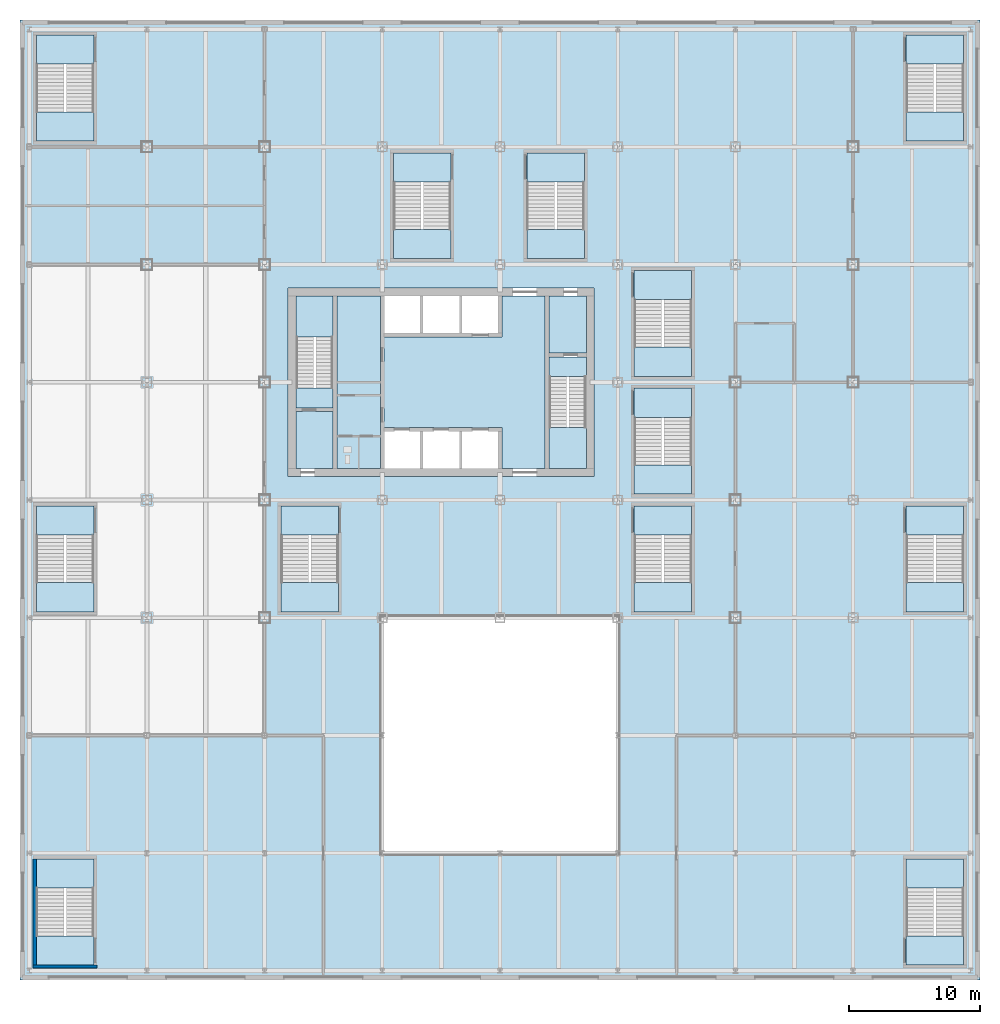
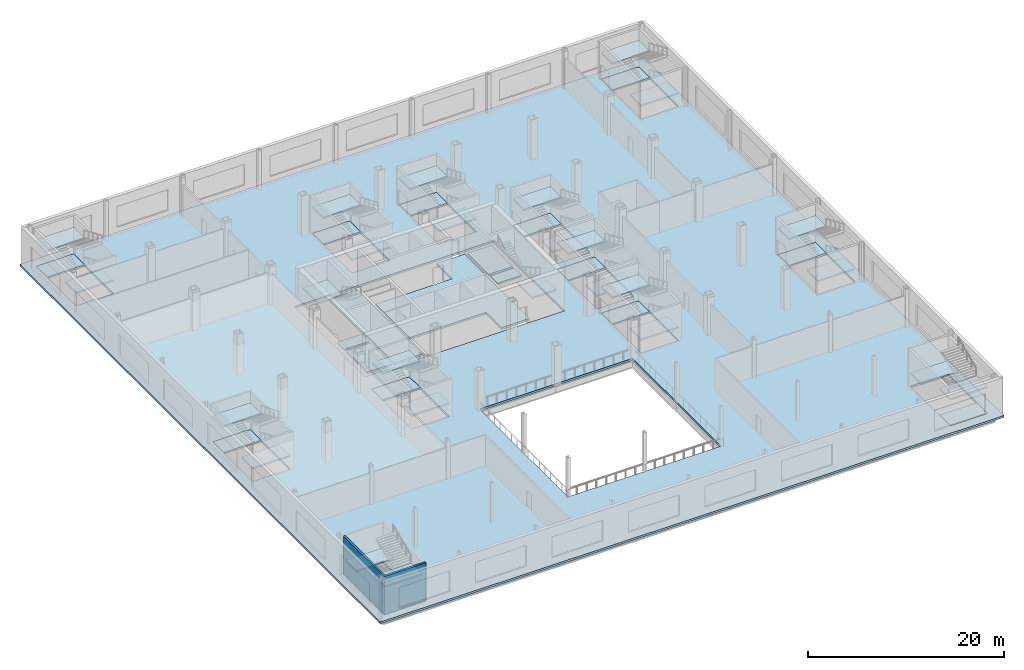
# One storey, part 10 of 28: 44 slabs, 2 walls, 14 elements without a shape of their own.
"""IFC4 building model written with IfcOpenShell, lengths in metres."""

from ifc_helpers import new_model, si_unit, direction, frame, frame_2d, origin, place, context, subcontext, project, spatial, polyline, rectangle, outline, extrude, material, layer, layer_set, type_object, element, aggregate, save


model = new_model("IFC4")

# Units and contexts
model_context = context("Model", 3, precision=1e-05, world=origin(), true_north=direction((0.0, 1.0)))
body_context = subcontext(model_context, "Body", "Model", "MODEL_VIEW")
ifc_project = project(units=[si_unit("LENGTHUNIT", "METRE"), si_unit("AREAUNIT", "SQUARE_METRE"), si_unit("VOLUMEUNIT", "CUBIC_METRE"), si_unit("PLANEANGLEUNIT", "RADIAN"), si_unit("MASSUNIT", "GRAM", prefix="KILO")], contexts=[model_context])

# Site, building, storey
site_placement = place(None, origin())
site = spatial("IfcSite", under=ifc_project, at=site_placement, CompositionType="ELEMENT")
building_placement = place(site_placement, origin())
building = spatial("IfcBuilding", under=site, at=building_placement, Name="Loomwork Tower", CompositionType="ELEMENT")
storey_placement = place(building_placement, frame((0.0, 0.0, 6.0)))
storey = spatial("IfcBuildingStorey", under=building, at=storey_placement, Name="L01", CompositionType="ELEMENT", Elevation=6.0)

# Slabs
ifc_material_1 = material(Name="Concrete 5000 psi (34 MPa) on composite metal deck", Category="concrete")
ifc_layer_1 = layer(ifc_material_1, 0.25)
ifc_layer_set_1 = layer_set([ifc_layer_1], Name="Floor slab 250")
slab_type_1 = type_object("IfcSlabType", Name="Floor slab 250", PredefinedType="FLOOR", material=ifc_layer_set_1)
slab_1_placement = place(storey_placement, frame((0.0, 0.0, -0.25)))
element("IfcSlab", 1, at=slab_1_placement, inside=storey, type_object=slab_type_1, Name="Floor slab L01", PredefinedType="FLOOR", context=body_context, shape_type="SweptSolid", body=[
    extrude(outline(polyline([(-9.699951171875, -27.699951171875), (-9.699951171875, 45.699951171875), (63.699951171875, 45.699951171875), (63.699951171875, -27.699951171875), (-9.699951171875, -27.699951171875)]), holes=[polyline([(58.050048828125, 36.449951171875), (62.449951171875, 36.449951171875), (62.449951171875, 44.550048828125), (58.050048828125, 44.550048828125), (58.050048828125, 36.449951171875)]), polyline([(58.050048828125, 0.449951171875), (62.449951171875, 0.449951171875), (62.449951171875, 8.550048828125), (58.050048828125, 8.550048828125), (58.050048828125, 0.449951171875)]), polyline([(58.050048828125, -26.550048828125), (62.449951171875, -26.550048828125), (62.449951171875, -18.449951171875), (58.050048828125, -18.449951171875), (58.050048828125, -26.550048828125)]), polyline([(41.64990234375, 9.449951171875), (41.64990234375, 17.550048828125), (37.25, 17.550048828125), (37.25, 9.449951171875), (41.64990234375, 9.449951171875)]), polyline([(37.25, 18.449951171875), (41.64990234375, 18.449951171875), (41.64990234375, 26.550048828125), (37.25, 26.550048828125), (37.25, 18.449951171875)]), polyline([(37.25, 0.449951171875), (41.64990234375, 0.449951171875), (41.64990234375, 8.550048828125), (37.25, 8.550048828125), (37.25, 0.449951171875)]), polyline([(18.0, -18.0), (36.0, -18.0), (36.0, 0.0), (18.0, 0.0), (18.0, -18.0)]), polyline([(34.199951171875, 11.39990234375), (34.199951171875, 24.60009765625), (34.199951171875, 25.199951171875), (10.800048828125, 25.199951171875), (10.800048828125, 24.60009765625), (10.800048828125, 11.39990234375), (10.800048828125, 11.39990234375), (10.800048828125, 10.800048828125), (34.199951171875, 10.800048828125), (34.199951171875, 11.39990234375), (34.199951171875, 11.39990234375)]), polyline([(29.050048828125, 27.449951171875), (33.449951171875, 27.449951171875), (33.449951171875, 35.550048828125), (29.050048828125, 35.550048828125), (29.050048828125, 27.449951171875)]), polyline([(18.85009765625, 27.449951171875), (23.25, 27.449951171875), (23.25, 35.550048828125), (18.85009765625, 35.550048828125), (18.85009765625, 27.449951171875)]), polyline([(10.25, 0.449951171875), (14.64990234375, 0.449951171875), (14.64990234375, 8.550048828125), (10.25, 8.550048828125), (10.25, 0.449951171875)]), polyline([(-4.050048828125, -26.550048828125), (-4.050048828125, -18.449951171875), (-8.449951171875, -18.449951171875), (-8.449951171875, -26.550048828125), (-4.050048828125, -26.550048828125)]), polyline([(-8.449951171875, 36.449951171875), (-4.050048828125, 36.449951171875), (-4.050048828125, 44.550048828125), (-8.449951171875, 44.550048828125), (-8.449951171875, 36.449951171875)]), polyline([(-8.449951171875, 0.449951171875), (-4.050048828125, 0.449951171875), (-4.050048828125, 8.550048828125), (-8.449951171875, 8.550048828125), (-8.449951171875, 0.449951171875)])]), origin(), (0.0, 0.0, 1.0), 0.25),
])
slab_2_placement = place(storey_placement, frame((0.0, 0.0, -0.25)))
element("IfcSlab", 2, at=slab_2_placement, inside=storey, type_object=slab_type_1, Name="Floor slab L01", PredefinedType="FLOOR", context=body_context, shape_type="SweptSolid", body=[
    extrude(outline(polyline([(18.14990234375, 21.449951171875), (27.14990234375, 21.449951171875), (27.14990234375, 21.75), (27.14990234375, 24.60009765625), (30.449951171875, 24.60009765625), (30.449951171875, 11.39990234375), (27.14990234375, 11.39990234375), (27.14990234375, 14.25), (27.14990234375, 14.550048828125), (18.14990234375, 14.550048828125), (18.14990234375, 21.449951171875)])), origin(), (0.0, 0.0, 1.0), 0.25),
])
slab_3_placement = place(storey_placement, frame((0.0, 0.0, -0.25)))
element("IfcSlab", 3, at=slab_3_placement, inside=storey, type_object=slab_type_1, Name="Floor slab L01", PredefinedType="FLOOR", context=body_context, shape_type="SweptSolid", body=[
    extrude(outline(polyline([(14.550048828125, 24.60009765625), (17.85009765625, 24.60009765625), (17.85009765625, 11.39990234375), (14.550048828125, 11.39990234375), (14.550048828125, 24.60009765625)])), origin(), (0.0, 0.0, 1.0), 0.25),
])
slab_4_placement = place(storey_placement, frame((0.0, 0.0, -0.25)))
element("IfcSlab", 4, at=slab_4_placement, inside=storey, type_object=slab_type_1, Name="Floor slab L01", PredefinedType="FLOOR", context=body_context, shape_type="SweptSolid", body=[
    extrude(outline(polyline([(33.60009765625, 20.25), (30.75, 20.25), (30.75, 24.60009765625), (33.60009765625, 24.60009765625), (33.60009765625, 20.25)])), origin(), (0.0, 0.0, 1.0), 0.25),
])
slab_5_placement = place(storey_placement, frame((0.0, 0.0, -0.25)))
element("IfcSlab", 5, at=slab_5_placement, inside=storey, type_object=slab_type_1, Name="Floor slab L01", PredefinedType="FLOOR", context=body_context, shape_type="SweptSolid", body=[
    extrude(outline(polyline([(14.25, 15.75), (14.25, 11.39990234375), (11.39990234375, 11.39990234375), (11.39990234375, 15.75), (14.25, 15.75)])), origin(), (0.0, 0.0, 1.0), 0.25),
])

# Stair, slabs
ifc_material_2 = material(Name="Concrete 5000 psi (34 MPa) precast stair", Category="concrete")
stair_type_1 = type_object("IfcStairType", Name="Stair ST-A 30 risers 2850 wide", PredefinedType="HALF_TURN_STAIR", material=ifc_material_2)
stair_1_placement = place(storey_placement, origin())
stair_1 = element("IfcStair", 6, at=stair_1_placement, inside=storey, type_object=stair_type_1, Name="Stair A L01", PredefinedType="HALF_TURN_STAIR")
ifc_material_3 = material(Name="Concrete 5000 psi (34 MPa)", Category="concrete")
ifc_layer_2 = layer(ifc_material_3, 0.199951171875)
ifc_layer_set_2 = layer_set([ifc_layer_2], Name="Stair landing 200")
slab_type_2 = type_object("IfcSlabType", Name="Stair landing 200", PredefinedType="LANDING", material=ifc_layer_set_2)
slab_6_placement = place(storey_placement, frame((0.0, 0.0, -0.199951171875)))
slab_6 = element("IfcSlab", 7, at=slab_6_placement, type_object=slab_type_2, Name="ST-A landing 1", PredefinedType="LANDING", context=body_context, shape_type="SweptSolid", body=[
    extrude(outline(polyline([(11.39990234375, 16.050048828125), (14.25, 16.050048828125), (14.25, 17.550048828125), (11.39990234375, 17.550048828125), (11.39990234375, 16.050048828125)])), origin(), (0.0, 0.0, 1.0), 0.199951171875),
])
slab_7_placement = place(storey_placement, frame((0.0, 0.0, 2.300048828125)))
slab_7 = element("IfcSlab", 8, at=slab_7_placement, type_object=slab_type_2, Name="ST-A landing 2", PredefinedType="LANDING", context=body_context, shape_type="SweptSolid", body=[
    extrude(outline(polyline([(11.39990234375, 21.469970703125), (14.25, 21.469970703125), (14.25, 24.60009765625), (11.39990234375, 24.60009765625), (11.39990234375, 21.469970703125)])), origin(), (0.0, 0.0, 1.0), 0.199951171875),
])
aggregate(stair_1, [slab_6, slab_7])

ifc_material_4 = material(Name="Concrete 5000 psi (34 MPa) precast stair", Category="concrete")
stair_type_2 = type_object("IfcStairType", Name="Stair ST-B 30 risers 2850 wide", PredefinedType="HALF_TURN_STAIR", material=ifc_material_4)
stair_2_placement = place(storey_placement, origin())
stair_2 = element("IfcStair", 9, at=stair_2_placement, inside=storey, type_object=stair_type_2, Name="Stair B L01", PredefinedType="HALF_TURN_STAIR")
slab_8_placement = place(storey_placement, frame((0.0, 0.0, -0.199951171875)))
slab_8 = element("IfcSlab", 10, at=slab_8_placement, type_object=slab_type_2, Name="ST-B landing 1", PredefinedType="LANDING", context=body_context, shape_type="SweptSolid", body=[
    extrude(outline(polyline([(30.75, 18.449951171875), (33.60009765625, 18.449951171875), (33.60009765625, 19.949951171875), (30.75, 19.949951171875), (30.75, 18.449951171875)])), origin(), (0.0, 0.0, 1.0), 0.199951171875),
])
slab_9_placement = place(storey_placement, frame((0.0, 0.0, 2.300048828125)))
slab_9 = element("IfcSlab", 11, at=slab_9_placement, type_object=slab_type_2, Name="ST-B landing 2", PredefinedType="LANDING", context=body_context, shape_type="SweptSolid", body=[
    extrude(outline(polyline([(30.75, 11.39990234375), (33.60009765625, 11.39990234375), (33.60009765625, 14.530029296875), (30.75, 14.530029296875), (30.75, 11.39990234375)])), origin(), (0.0, 0.0, 1.0), 0.199951171875),
])
aggregate(stair_2, [slab_8, slab_9])

ifc_material_5 = material(Name="Concrete 5000 psi (34 MPa) precast stair", Category="concrete")
stair_type_3 = type_object("IfcStairType", Name="Stair ST-S1P 42 risers of 119 4400 wide", PredefinedType="HALF_TURN_STAIR", material=ifc_material_5)
stair_3_placement = place(storey_placement, origin())
stair_3 = element("IfcStair", 12, at=stair_3_placement, inside=storey, type_object=stair_type_3, Name="Podium stair PS1 L01", PredefinedType="HALF_TURN_STAIR")
slab_10_placement = place(storey_placement, frame((0.0, 0.0, 1.466796875)))
slab_10 = element("IfcSlab", 13, at=slab_10_placement, type_object=slab_type_2, Name="ST-S1P landing 2", PredefinedType="LANDING", context=body_context, shape_type="SweptSolid", body=[
    extrude(outline(polyline([(-8.449951171875, -20.679931640625), (-4.050048828125, -20.679931640625), (-4.050048828125, -18.449951171875), (-8.449951171875, -18.449951171875), (-8.449951171875, -20.679931640625)])), origin(), (0.0, 0.0, 1.0), 0.199951171875),
])
slab_11_placement = place(storey_placement, frame((0.0, 0.0, 3.13330078125)))
slab_11 = element("IfcSlab", 14, at=slab_11_placement, type_object=slab_type_2, Name="ST-S1P landing 3", PredefinedType="LANDING", context=body_context, shape_type="SweptSolid", body=[
    extrude(outline(polyline([(-8.449951171875, -26.550048828125), (-4.050048828125, -26.550048828125), (-4.050048828125, -24.320068359375), (-8.449951171875, -24.320068359375), (-8.449951171875, -26.550048828125)])), origin(), (0.0, 0.0, 1.0), 0.199951171875),
])
aggregate(stair_3, [slab_10, slab_11])

ifc_material_6 = material(Name="Concrete 5000 psi (34 MPa) precast stair", Category="concrete")
stair_type_4 = type_object("IfcStairType", Name="Stair ST-S2P 42 risers of 119 4400 wide", PredefinedType="HALF_TURN_STAIR", material=ifc_material_6)
stair_4_placement = place(storey_placement, origin())
stair_4 = element("IfcStair", 15, at=stair_4_placement, inside=storey, type_object=stair_type_4, Name="Podium stair PS2 L01", PredefinedType="HALF_TURN_STAIR")
slab_12_placement = place(storey_placement, frame((0.0, 0.0, -0.199951171875)))
slab_12 = element("IfcSlab", 16, at=slab_12_placement, type_object=slab_type_2, Name="ST-S2P landing 1", PredefinedType="LANDING", context=body_context, shape_type="SweptSolid", body=[
    extrude(outline(polyline([(58.050048828125, -26.550048828125), (62.449951171875, -26.550048828125), (62.449951171875, -24.320068359375), (58.050048828125, -24.320068359375), (58.050048828125, -26.550048828125)])), origin(), (0.0, 0.0, 1.0), 0.199951171875),
])
slab_13_placement = place(storey_placement, frame((0.0, 0.0, 1.466796875)))
slab_13 = element("IfcSlab", 17, at=slab_13_placement, type_object=slab_type_2, Name="ST-S2P landing 2", PredefinedType="LANDING", context=body_context, shape_type="SweptSolid", body=[
    extrude(outline(polyline([(58.050048828125, -20.679931640625), (62.449951171875, -20.679931640625), (62.449951171875, -18.449951171875), (58.050048828125, -18.449951171875), (58.050048828125, -20.679931640625)])), origin(), (0.0, 0.0, 1.0), 0.199951171875),
])
slab_14_placement = place(storey_placement, frame((0.0, 0.0, 3.13330078125)))
slab_14 = element("IfcSlab", 18, at=slab_14_placement, type_object=slab_type_2, Name="ST-S2P landing 3", PredefinedType="LANDING", context=body_context, shape_type="SweptSolid", body=[
    extrude(outline(polyline([(58.050048828125, -26.550048828125), (62.449951171875, -26.550048828125), (62.449951171875, -24.320068359375), (58.050048828125, -24.320068359375), (58.050048828125, -26.550048828125)])), origin(), (0.0, 0.0, 1.0), 0.199951171875),
])
aggregate(stair_4, [slab_12, slab_13, slab_14])

ifc_material_7 = material(Name="Concrete 5000 psi (34 MPa) precast stair", Category="concrete")
stair_type_5 = type_object("IfcStairType", Name="Stair ST-S3P 42 risers of 119 4400 wide", PredefinedType="HALF_TURN_STAIR", material=ifc_material_7)
stair_5_placement = place(storey_placement, origin())
stair_5 = element("IfcStair", 19, at=stair_5_placement, inside=storey, type_object=stair_type_5, Name="Podium stair PS3 L01", PredefinedType="HALF_TURN_STAIR")
slab_15_placement = place(storey_placement, frame((0.0, 0.0, -0.199951171875)))
slab_15 = element("IfcSlab", 20, at=slab_15_placement, type_object=slab_type_2, Name="ST-S3P landing 1", PredefinedType="LANDING", context=body_context, shape_type="SweptSolid", body=[
    extrude(outline(polyline([(-8.449951171875, 42.320068359375), (-4.050048828125, 42.320068359375), (-4.050048828125, 44.550048828125), (-8.449951171875, 44.550048828125), (-8.449951171875, 42.320068359375)])), origin(), (0.0, 0.0, 1.0), 0.199951171875),
])
slab_16_placement = place(storey_placement, frame((0.0, 0.0, 1.466796875)))
slab_16 = element("IfcSlab", 21, at=slab_16_placement, type_object=slab_type_2, Name="ST-S3P landing 2", PredefinedType="LANDING", context=body_context, shape_type="SweptSolid", body=[
    extrude(outline(polyline([(-8.449951171875, 36.449951171875), (-4.050048828125, 36.449951171875), (-4.050048828125, 38.679931640625), (-8.449951171875, 38.679931640625), (-8.449951171875, 36.449951171875)])), origin(), (0.0, 0.0, 1.0), 0.199951171875),
])
slab_17_placement = place(storey_placement, frame((0.0, 0.0, 3.13330078125)))
slab_17 = element("IfcSlab", 22, at=slab_17_placement, type_object=slab_type_2, Name="ST-S3P landing 3", PredefinedType="LANDING", context=body_context, shape_type="SweptSolid", body=[
    extrude(outline(polyline([(-8.449951171875, 42.320068359375), (-4.050048828125, 42.320068359375), (-4.050048828125, 44.550048828125), (-8.449951171875, 44.550048828125), (-8.449951171875, 42.320068359375)])), origin(), (0.0, 0.0, 1.0), 0.199951171875),
])
aggregate(stair_5, [slab_15, slab_16, slab_17])

ifc_material_8 = material(Name="Concrete 5000 psi (34 MPa) precast stair", Category="concrete")
stair_type_6 = type_object("IfcStairType", Name="Stair ST-S4P 42 risers of 119 4400 wide", PredefinedType="HALF_TURN_STAIR", material=ifc_material_8)
stair_6_placement = place(storey_placement, origin())
stair_6 = element("IfcStair", 23, at=stair_6_placement, inside=storey, type_object=stair_type_6, Name="Podium stair PS4 L01", PredefinedType="HALF_TURN_STAIR")
slab_18_placement = place(storey_placement, frame((0.0, 0.0, -0.199951171875)))
slab_18 = element("IfcSlab", 24, at=slab_18_placement, type_object=slab_type_2, Name="ST-S4P landing 1", PredefinedType="LANDING", context=body_context, shape_type="SweptSolid", body=[
    extrude(outline(polyline([(58.050048828125, 42.320068359375), (62.449951171875, 42.320068359375), (62.449951171875, 44.550048828125), (58.050048828125, 44.550048828125), (58.050048828125, 42.320068359375)])), origin(), (0.0, 0.0, 1.0), 0.199951171875),
])
slab_19_placement = place(storey_placement, frame((0.0, 0.0, 1.466796875)))
slab_19 = element("IfcSlab", 25, at=slab_19_placement, type_object=slab_type_2, Name="ST-S4P landing 2", PredefinedType="LANDING", context=body_context, shape_type="SweptSolid", body=[
    extrude(outline(polyline([(58.050048828125, 36.449951171875), (62.449951171875, 36.449951171875), (62.449951171875, 38.679931640625), (58.050048828125, 38.679931640625), (58.050048828125, 36.449951171875)])), origin(), (0.0, 0.0, 1.0), 0.199951171875),
])
slab_20_placement = place(storey_placement, frame((0.0, 0.0, 3.13330078125)))
slab_20 = element("IfcSlab", 26, at=slab_20_placement, type_object=slab_type_2, Name="ST-S4P landing 3", PredefinedType="LANDING", context=body_context, shape_type="SweptSolid", body=[
    extrude(outline(polyline([(58.050048828125, 42.320068359375), (62.449951171875, 42.320068359375), (62.449951171875, 44.550048828125), (58.050048828125, 44.550048828125), (58.050048828125, 42.320068359375)])), origin(), (0.0, 0.0, 1.0), 0.199951171875),
])
aggregate(stair_6, [slab_18, slab_19, slab_20])

ifc_material_9 = material(Name="Concrete 5000 psi (34 MPa) precast stair", Category="concrete")
stair_type_7 = type_object("IfcStairType", Name="Stair ST-S5P 42 risers of 119 4400 wide", PredefinedType="HALF_TURN_STAIR", material=ifc_material_9)
stair_7_placement = place(storey_placement, origin())
stair_7 = element("IfcStair", 27, at=stair_7_placement, inside=storey, type_object=stair_type_7, Name="Podium stair PS5 L01", PredefinedType="HALF_TURN_STAIR")
slab_21_placement = place(storey_placement, frame((0.0, 0.0, -0.199951171875)))
slab_21 = element("IfcSlab", 28, at=slab_21_placement, type_object=slab_type_2, Name="ST-S5P landing 1", PredefinedType="LANDING", context=body_context, shape_type="SweptSolid", body=[
    extrude(outline(polyline([(-8.449951171875, 6.320068359375), (-4.050048828125, 6.320068359375), (-4.050048828125, 8.550048828125), (-8.449951171875, 8.550048828125), (-8.449951171875, 6.320068359375)])), origin(), (0.0, 0.0, 1.0), 0.199951171875),
])
slab_22_placement = place(storey_placement, frame((0.0, 0.0, 1.466796875)))
slab_22 = element("IfcSlab", 29, at=slab_22_placement, type_object=slab_type_2, Name="ST-S5P landing 2", PredefinedType="LANDING", context=body_context, shape_type="SweptSolid", body=[
    extrude(outline(polyline([(-8.449951171875, 0.449951171875), (-4.050048828125, 0.449951171875), (-4.050048828125, 2.679931640625), (-8.449951171875, 2.679931640625), (-8.449951171875, 0.449951171875)])), origin(), (0.0, 0.0, 1.0), 0.199951171875),
])
slab_23_placement = place(storey_placement, frame((0.0, 0.0, 3.13330078125)))
slab_23 = element("IfcSlab", 30, at=slab_23_placement, type_object=slab_type_2, Name="ST-S5P landing 3", PredefinedType="LANDING", context=body_context, shape_type="SweptSolid", body=[
    extrude(outline(polyline([(-8.449951171875, 6.320068359375), (-4.050048828125, 6.320068359375), (-4.050048828125, 8.550048828125), (-8.449951171875, 8.550048828125), (-8.449951171875, 6.320068359375)])), origin(), (0.0, 0.0, 1.0), 0.199951171875),
])
aggregate(stair_7, [slab_21, slab_22, slab_23])

ifc_material_10 = material(Name="Concrete 5000 psi (34 MPa) precast stair", Category="concrete")
stair_type_8 = type_object("IfcStairType", Name="Stair ST-S6P 42 risers of 119 4400 wide", PredefinedType="HALF_TURN_STAIR", material=ifc_material_10)
stair_8_placement = place(storey_placement, origin())
stair_8 = element("IfcStair", 31, at=stair_8_placement, inside=storey, type_object=stair_type_8, Name="Podium stair PS6 L01", PredefinedType="HALF_TURN_STAIR")
slab_24_placement = place(storey_placement, frame((0.0, 0.0, -0.199951171875)))
slab_24 = element("IfcSlab", 32, at=slab_24_placement, type_object=slab_type_2, Name="ST-S6P landing 1", PredefinedType="LANDING", context=body_context, shape_type="SweptSolid", body=[
    extrude(outline(polyline([(58.050048828125, 6.320068359375), (62.449951171875, 6.320068359375), (62.449951171875, 8.550048828125), (58.050048828125, 8.550048828125), (58.050048828125, 6.320068359375)])), origin(), (0.0, 0.0, 1.0), 0.199951171875),
])
slab_25_placement = place(storey_placement, frame((0.0, 0.0, 1.466796875)))
slab_25 = element("IfcSlab", 33, at=slab_25_placement, type_object=slab_type_2, Name="ST-S6P landing 2", PredefinedType="LANDING", context=body_context, shape_type="SweptSolid", body=[
    extrude(outline(polyline([(58.050048828125, 0.449951171875), (62.449951171875, 0.449951171875), (62.449951171875, 2.679931640625), (58.050048828125, 2.679931640625), (58.050048828125, 0.449951171875)])), origin(), (0.0, 0.0, 1.0), 0.199951171875),
])
slab_26_placement = place(storey_placement, frame((0.0, 0.0, 3.13330078125)))
slab_26 = element("IfcSlab", 34, at=slab_26_placement, type_object=slab_type_2, Name="ST-S6P landing 3", PredefinedType="LANDING", context=body_context, shape_type="SweptSolid", body=[
    extrude(outline(polyline([(58.050048828125, 6.320068359375), (62.449951171875, 6.320068359375), (62.449951171875, 8.550048828125), (58.050048828125, 8.550048828125), (58.050048828125, 6.320068359375)])), origin(), (0.0, 0.0, 1.0), 0.199951171875),
])
aggregate(stair_8, [slab_24, slab_25, slab_26])

ifc_material_11 = material(Name="Concrete 5000 psi (34 MPa) precast stair", Category="concrete")
stair_type_9 = type_object("IfcStairType", Name="Stair ST-S7P 42 risers of 119 4400 wide", PredefinedType="HALF_TURN_STAIR", material=ifc_material_11)
stair_9_placement = place(storey_placement, origin())
stair_9 = element("IfcStair", 35, at=stair_9_placement, inside=storey, type_object=stair_type_9, Name="Podium stair PS7 L01", PredefinedType="HALF_TURN_STAIR")
slab_27_placement = place(storey_placement, frame((0.0, 0.0, -0.199951171875)))
slab_27 = element("IfcSlab", 36, at=slab_27_placement, type_object=slab_type_2, Name="ST-S7P landing 1", PredefinedType="LANDING", context=body_context, shape_type="SweptSolid", body=[
    extrude(outline(polyline([(37.25, 6.320068359375), (41.64990234375, 6.320068359375), (41.64990234375, 8.550048828125), (37.25, 8.550048828125), (37.25, 6.320068359375)])), origin(), (0.0, 0.0, 1.0), 0.199951171875),
])
slab_28_placement = place(storey_placement, frame((0.0, 0.0, 1.466796875)))
slab_28 = element("IfcSlab", 37, at=slab_28_placement, type_object=slab_type_2, Name="ST-S7P landing 2", PredefinedType="LANDING", context=body_context, shape_type="SweptSolid", body=[
    extrude(outline(polyline([(37.25, 0.449951171875), (41.64990234375, 0.449951171875), (41.64990234375, 2.679931640625), (37.25, 2.679931640625), (37.25, 0.449951171875)])), origin(), (0.0, 0.0, 1.0), 0.199951171875),
])
slab_29_placement = place(storey_placement, frame((0.0, 0.0, 3.13330078125)))
slab_29 = element("IfcSlab", 38, at=slab_29_placement, type_object=slab_type_2, Name="ST-S7P landing 3", PredefinedType="LANDING", context=body_context, shape_type="SweptSolid", body=[
    extrude(outline(polyline([(37.25, 6.320068359375), (41.64990234375, 6.320068359375), (41.64990234375, 8.550048828125), (37.25, 8.550048828125), (37.25, 6.320068359375)])), origin(), (0.0, 0.0, 1.0), 0.199951171875),
])
aggregate(stair_9, [slab_27, slab_28, slab_29])

ifc_material_12 = material(Name="Concrete 5000 psi (34 MPa) precast stair", Category="concrete")
stair_type_10 = type_object("IfcStairType", Name="Stair ST-S8P 42 risers of 119 4400 wide", PredefinedType="HALF_TURN_STAIR", material=ifc_material_12)
stair_10_placement = place(storey_placement, origin())
stair_10 = element("IfcStair", 39, at=stair_10_placement, inside=storey, type_object=stair_type_10, Name="Podium stair PS8 L01", PredefinedType="HALF_TURN_STAIR")
slab_30_placement = place(storey_placement, frame((0.0, 0.0, -0.199951171875)))
slab_30 = element("IfcSlab", 40, at=slab_30_placement, type_object=slab_type_2, Name="ST-S8P landing 1", PredefinedType="LANDING", context=body_context, shape_type="SweptSolid", body=[
    extrude(outline(polyline([(37.25, 15.320068359375), (41.64990234375, 15.320068359375), (41.64990234375, 17.550048828125), (37.25, 17.550048828125), (37.25, 15.320068359375)])), origin(), (0.0, 0.0, 1.0), 0.199951171875),
])
slab_31_placement = place(storey_placement, frame((0.0, 0.0, 1.466796875)))
slab_31 = element("IfcSlab", 41, at=slab_31_placement, type_object=slab_type_2, Name="ST-S8P landing 2", PredefinedType="LANDING", context=body_context, shape_type="SweptSolid", body=[
    extrude(outline(polyline([(37.25, 9.449951171875), (41.64990234375, 9.449951171875), (41.64990234375, 11.679931640625), (37.25, 11.679931640625), (37.25, 9.449951171875)])), origin(), (0.0, 0.0, 1.0), 0.199951171875),
])
slab_32_placement = place(storey_placement, frame((0.0, 0.0, 3.13330078125)))
slab_32 = element("IfcSlab", 42, at=slab_32_placement, type_object=slab_type_2, Name="ST-S8P landing 3", PredefinedType="LANDING", context=body_context, shape_type="SweptSolid", body=[
    extrude(outline(polyline([(37.25, 15.320068359375), (41.64990234375, 15.320068359375), (41.64990234375, 17.550048828125), (37.25, 17.550048828125), (37.25, 15.320068359375)])), origin(), (0.0, 0.0, 1.0), 0.199951171875),
])
aggregate(stair_10, [slab_30, slab_31, slab_32])

ifc_material_13 = material(Name="Concrete 5000 psi (34 MPa) precast stair", Category="concrete")
stair_type_11 = type_object("IfcStairType", Name="Stair ST-S9P 42 risers of 119 4400 wide", PredefinedType="HALF_TURN_STAIR", material=ifc_material_13)
stair_11_placement = place(storey_placement, origin())
stair_11 = element("IfcStair", 43, at=stair_11_placement, inside=storey, type_object=stair_type_11, Name="Podium stair PS9 L01", PredefinedType="HALF_TURN_STAIR")
slab_33_placement = place(storey_placement, frame((0.0, 0.0, -0.199951171875)))
slab_33 = element("IfcSlab", 44, at=slab_33_placement, type_object=slab_type_2, Name="ST-S9P landing 1", PredefinedType="LANDING", context=body_context, shape_type="SweptSolid", body=[
    extrude(outline(polyline([(37.25, 24.320068359375), (41.64990234375, 24.320068359375), (41.64990234375, 26.550048828125), (37.25, 26.550048828125), (37.25, 24.320068359375)])), origin(), (0.0, 0.0, 1.0), 0.199951171875),
])
slab_34_placement = place(storey_placement, frame((0.0, 0.0, 1.466796875)))
slab_34 = element("IfcSlab", 45, at=slab_34_placement, type_object=slab_type_2, Name="ST-S9P landing 2", PredefinedType="LANDING", context=body_context, shape_type="SweptSolid", body=[
    extrude(outline(polyline([(37.25, 18.449951171875), (41.64990234375, 18.449951171875), (41.64990234375, 20.679931640625), (37.25, 20.679931640625), (37.25, 18.449951171875)])), origin(), (0.0, 0.0, 1.0), 0.199951171875),
])
slab_35_placement = place(storey_placement, frame((0.0, 0.0, 3.13330078125)))
slab_35 = element("IfcSlab", 46, at=slab_35_placement, type_object=slab_type_2, Name="ST-S9P landing 3", PredefinedType="LANDING", context=body_context, shape_type="SweptSolid", body=[
    extrude(outline(polyline([(37.25, 24.320068359375), (41.64990234375, 24.320068359375), (41.64990234375, 26.550048828125), (37.25, 26.550048828125), (37.25, 24.320068359375)])), origin(), (0.0, 0.0, 1.0), 0.199951171875),
])
aggregate(stair_11, [slab_33, slab_34, slab_35])

ifc_material_14 = material(Name="Concrete 5000 psi (34 MPa) precast stair", Category="concrete")
stair_type_12 = type_object("IfcStairType", Name="Stair ST-S10P 42 risers of 119 4400 wide", PredefinedType="HALF_TURN_STAIR", material=ifc_material_14)
stair_12_placement = place(storey_placement, origin())
stair_12 = element("IfcStair", 47, at=stair_12_placement, inside=storey, type_object=stair_type_12, Name="Podium stair PS10 L01", PredefinedType="HALF_TURN_STAIR")
slab_36_placement = place(storey_placement, frame((0.0, 0.0, -0.199951171875)))
slab_36 = element("IfcSlab", 48, at=slab_36_placement, type_object=slab_type_2, Name="ST-S10P landing 1", PredefinedType="LANDING", context=body_context, shape_type="SweptSolid", body=[
    extrude(outline(polyline([(18.85009765625, 33.320068359375), (23.25, 33.320068359375), (23.25, 35.550048828125), (18.85009765625, 35.550048828125), (18.85009765625, 33.320068359375)])), origin(), (0.0, 0.0, 1.0), 0.199951171875),
])
slab_37_placement = place(storey_placement, frame((0.0, 0.0, 1.466796875)))
slab_37 = element("IfcSlab", 49, at=slab_37_placement, type_object=slab_type_2, Name="ST-S10P landing 2", PredefinedType="LANDING", context=body_context, shape_type="SweptSolid", body=[
    extrude(outline(polyline([(18.85009765625, 27.449951171875), (23.25, 27.449951171875), (23.25, 29.679931640625), (18.85009765625, 29.679931640625), (18.85009765625, 27.449951171875)])), origin(), (0.0, 0.0, 1.0), 0.199951171875),
])
slab_38_placement = place(storey_placement, frame((0.0, 0.0, 3.13330078125)))
slab_38 = element("IfcSlab", 50, at=slab_38_placement, type_object=slab_type_2, Name="ST-S10P landing 3", PredefinedType="LANDING", context=body_context, shape_type="SweptSolid", body=[
    extrude(outline(polyline([(18.85009765625, 33.320068359375), (23.25, 33.320068359375), (23.25, 35.550048828125), (18.85009765625, 35.550048828125), (18.85009765625, 33.320068359375)])), origin(), (0.0, 0.0, 1.0), 0.199951171875),
])
aggregate(stair_12, [slab_36, slab_37, slab_38])

ifc_material_15 = material(Name="Concrete 5000 psi (34 MPa) precast stair", Category="concrete")
stair_type_13 = type_object("IfcStairType", Name="Stair ST-S11P 42 risers of 119 4400 wide", PredefinedType="HALF_TURN_STAIR", material=ifc_material_15)
stair_13_placement = place(storey_placement, origin())
stair_13 = element("IfcStair", 51, at=stair_13_placement, inside=storey, type_object=stair_type_13, Name="Podium stair PS11 L01", PredefinedType="HALF_TURN_STAIR")
slab_39_placement = place(storey_placement, frame((0.0, 0.0, -0.199951171875)))
slab_39 = element("IfcSlab", 52, at=slab_39_placement, type_object=slab_type_2, Name="ST-S11P landing 1", PredefinedType="LANDING", context=body_context, shape_type="SweptSolid", body=[
    extrude(outline(polyline([(29.050048828125, 33.320068359375), (33.449951171875, 33.320068359375), (33.449951171875, 35.550048828125), (29.050048828125, 35.550048828125), (29.050048828125, 33.320068359375)])), origin(), (0.0, 0.0, 1.0), 0.199951171875),
])
slab_40_placement = place(storey_placement, frame((0.0, 0.0, 1.466796875)))
slab_40 = element("IfcSlab", 53, at=slab_40_placement, type_object=slab_type_2, Name="ST-S11P landing 2", PredefinedType="LANDING", context=body_context, shape_type="SweptSolid", body=[
    extrude(outline(polyline([(29.050048828125, 27.449951171875), (33.449951171875, 27.449951171875), (33.449951171875, 29.679931640625), (29.050048828125, 29.679931640625), (29.050048828125, 27.449951171875)])), origin(), (0.0, 0.0, 1.0), 0.199951171875),
])
slab_41_placement = place(storey_placement, frame((0.0, 0.0, 3.13330078125)))
slab_41 = element("IfcSlab", 54, at=slab_41_placement, type_object=slab_type_2, Name="ST-S11P landing 3", PredefinedType="LANDING", context=body_context, shape_type="SweptSolid", body=[
    extrude(outline(polyline([(29.050048828125, 33.320068359375), (33.449951171875, 33.320068359375), (33.449951171875, 35.550048828125), (29.050048828125, 35.550048828125), (29.050048828125, 33.320068359375)])), origin(), (0.0, 0.0, 1.0), 0.199951171875),
])
aggregate(stair_13, [slab_39, slab_40, slab_41])

ifc_material_16 = material(Name="Concrete 5000 psi (34 MPa) precast stair", Category="concrete")
stair_type_14 = type_object("IfcStairType", Name="Stair ST-S12P 42 risers of 119 4400 wide", PredefinedType="HALF_TURN_STAIR", material=ifc_material_16)
stair_14_placement = place(storey_placement, origin())
stair_14 = element("IfcStair", 55, at=stair_14_placement, inside=storey, type_object=stair_type_14, Name="Podium stair PS12 L01", PredefinedType="HALF_TURN_STAIR")
slab_42_placement = place(storey_placement, frame((0.0, 0.0, -0.199951171875)))
slab_42 = element("IfcSlab", 56, at=slab_42_placement, type_object=slab_type_2, Name="ST-S12P landing 1", PredefinedType="LANDING", context=body_context, shape_type="SweptSolid", body=[
    extrude(outline(polyline([(10.25, 6.320068359375), (14.64990234375, 6.320068359375), (14.64990234375, 8.550048828125), (10.25, 8.550048828125), (10.25, 6.320068359375)])), origin(), (0.0, 0.0, 1.0), 0.199951171875),
])
slab_43_placement = place(storey_placement, frame((0.0, 0.0, 1.466796875)))
slab_43 = element("IfcSlab", 57, at=slab_43_placement, type_object=slab_type_2, Name="ST-S12P landing 2", PredefinedType="LANDING", context=body_context, shape_type="SweptSolid", body=[
    extrude(outline(polyline([(10.25, 0.449951171875), (14.64990234375, 0.449951171875), (14.64990234375, 2.679931640625), (10.25, 2.679931640625), (10.25, 0.449951171875)])), origin(), (0.0, 0.0, 1.0), 0.199951171875),
])
slab_44_placement = place(storey_placement, frame((0.0, 0.0, 3.13330078125)))
slab_44 = element("IfcSlab", 58, at=slab_44_placement, type_object=slab_type_2, Name="ST-S12P landing 3", PredefinedType="LANDING", context=body_context, shape_type="SweptSolid", body=[
    extrude(outline(polyline([(10.25, 6.320068359375), (14.64990234375, 6.320068359375), (14.64990234375, 8.550048828125), (10.25, 8.550048828125), (10.25, 6.320068359375)])), origin(), (0.0, 0.0, 1.0), 0.199951171875),
])
aggregate(stair_14, [slab_42, slab_43, slab_44])

# Walls
ifc_material_17 = material(Name="Concrete masonry, two-hour", Category="masonry")
ifc_layer_3 = layer(ifc_material_17, 0.25)
ifc_layer_set_3 = layer_set([ifc_layer_3], Name="Stair enclosure wall 250")
wall_type = type_object("IfcWallType", Name="Stair enclosure wall 250", PredefinedType="SOLIDWALL", material=ifc_layer_set_3)
wall_1_placement = place(storey_placement, frame((-8.699951171875, -26.675048828125, 0.0), z_axis=(0.0, 0.0, 1.0), x_axis=(1.0, 0.0, 0.0)))
element("IfcWall", 59, at=wall_1_placement, inside=storey, type_object=wall_type, Name="Stair PS1 enclosure wall S L01", PredefinedType="SOLIDWALL", context=body_context, shape_type="SweptSolid", body=[
    extrude(rectangle(XDim=4.89990234375, YDim=0.25, at=frame_2d((2.449951171875, 0.0))), origin(), (0.0, 0.0, 1.0), 4.75),
])
wall_2_placement = place(storey_placement, frame((-8.574951171875, -26.550048828125, 0.0), z_axis=(0.0, 0.0, 1.0), x_axis=(0.0, 1.0, 0.0)))
element("IfcWall", 60, at=wall_2_placement, inside=storey, type_object=wall_type, Name="Stair PS1 enclosure wall W L01", PredefinedType="SOLIDWALL", context=body_context, shape_type="SweptSolid", body=[
    extrude(rectangle(XDim=8.10009765625, YDim=0.25, at=frame_2d((4.050048828125, 0.0))), origin(), (0.0, 0.0, 1.0), 4.75),
])

save(model, "model.ifc")
